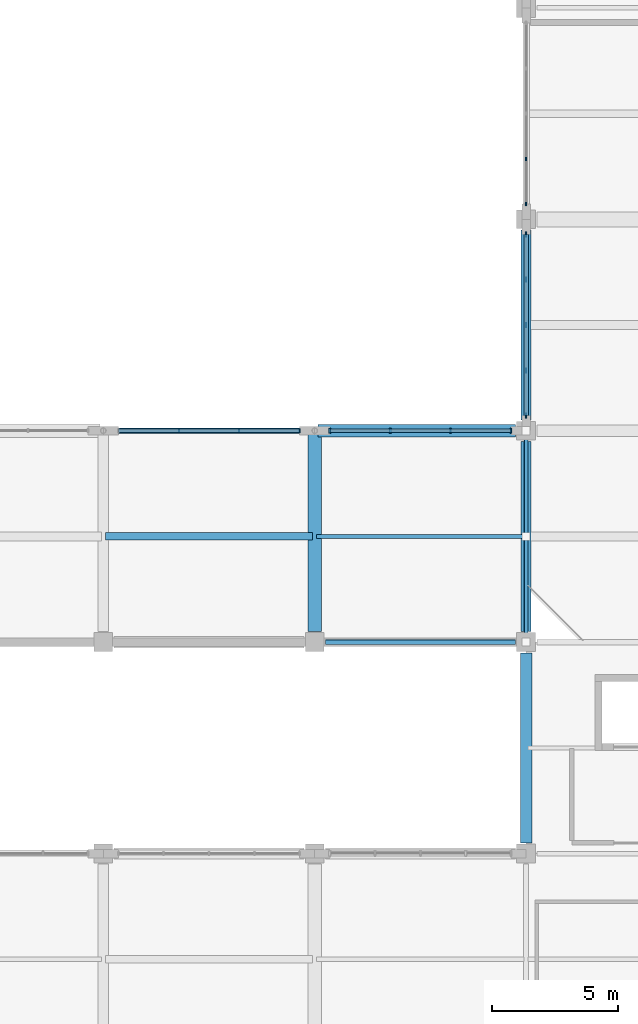
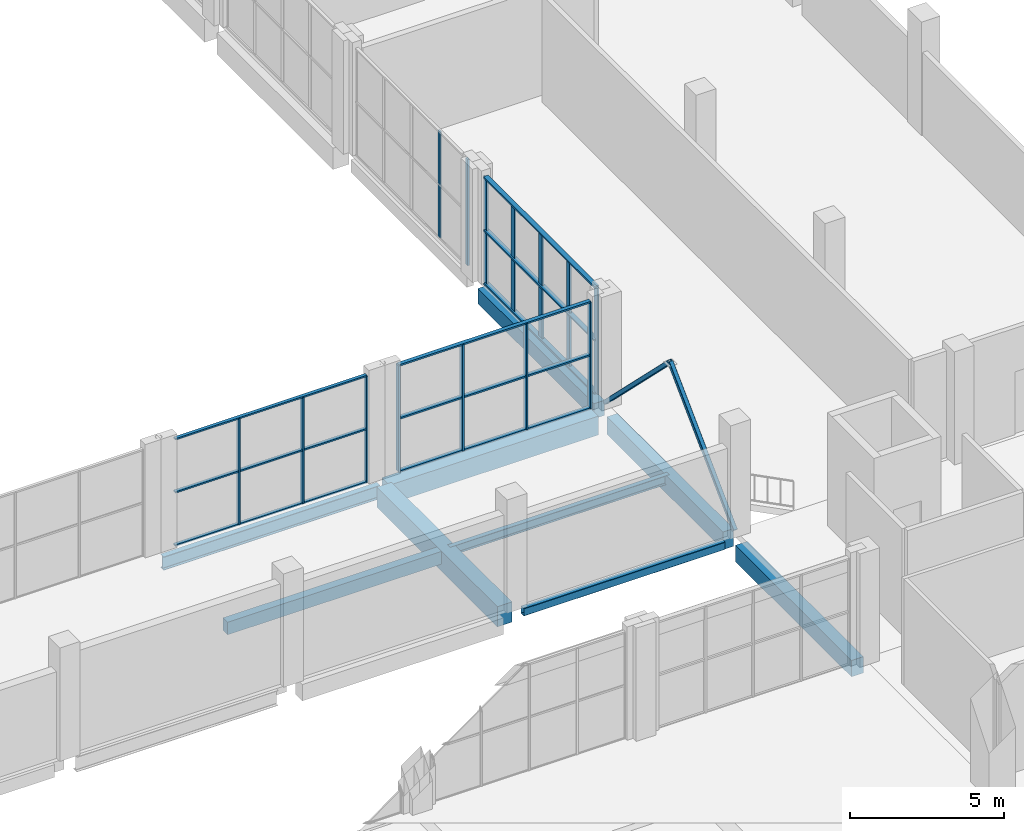
# One storey, part 31 of 75: 25 members, 9 beams, 4 elements without a shape of their own.
"""IFC4 building model written with IfcOpenShell, lengths in metres."""

from ifc_helpers import new_model, si_unit, derived_unit, direction, frame, origin, origin_2d, place, context, subcontext, project, spatial, rectangle, hollow_rectangle, i_section, extrude, material, material_profile, profile_set, type_object, element, aggregate, save


model = new_model("IFC4")

# Units and contexts
model_context = context("Model", 3, precision=1e-05, world=origin(), true_north=direction((0.0, 1.0)))
body_context = subcontext(model_context, "Body", "Model", "MODEL_VIEW")
ifc_project = project(units=[si_unit("LENGTHUNIT", "METRE"), si_unit("AREAUNIT", "SQUARE_METRE"), si_unit("VOLUMEUNIT", "CUBIC_METRE"), si_unit("PLANEANGLEUNIT", "RADIAN"), si_unit("MASSUNIT", "GRAM", prefix="KILO"), derived_unit("THERMALTRANSMITTANCEUNIT", [(si_unit("POWERUNIT", "WATT"), 1), (si_unit("LENGTHUNIT", "METRE"), -2), (si_unit("THERMODYNAMICTEMPERATUREUNIT", "KELVIN"), -1)])], contexts=[model_context])

# Site, building, storey
site_placement = place(None, origin())
site = spatial("IfcSite", under=ifc_project, at=site_placement, CompositionType="ELEMENT")
building_placement = place(site_placement, origin())
building = spatial("IfcBuilding", under=site, at=building_placement, Name="Barrovel Congress Hotel", CompositionType="ELEMENT")
storey_placement = place(building_placement, frame((0.0, 0.0, 5.39990234375)))
storey = spatial("IfcBuildingStorey", under=building, at=storey_placement, Name="L01", CompositionType="ELEMENT", Elevation=5.39990234375)

# Beams
ifc_material_1 = material(Name="Concrete C40", Category="concrete")
ifc_material_profile_1 = material_profile(ifc_material_1, rectangle(XDim=0.300048828125, YDim=0.5, at=origin_2d()), Name="RC300x500")
ifc_profile_set_1 = profile_set([ifc_material_profile_1], Name="Concrete C40")
beam_type_1 = type_object("IfcBeamType", Name="BM-RC300x500", PredefinedType="JOIST", material=ifc_profile_set_1)
beam_1_placement = place(storey_placement, frame((109.280029296875, 42.0, -0.510009765625), z_axis=(1.0, 0.0, 0.0), x_axis=(0.0, 1.0, 0.0)))
element("IfcBeam", 1, at=beam_1_placement, inside=storey, type_object=beam_type_1, Name="JST:L01:109.2:42.0", PredefinedType="JOIST", context=body_context, shape_type="SweptSolid", body=[
    extrude(rectangle(XDim=0.300048828125, YDim=0.5, at=origin_2d()), origin(), (0.0, 0.0, 1.0), 8.239990234375),
])
ifc_material_profile_2 = material_profile(ifc_material_1, rectangle(XDim=0.39990234375, YDim=0.60009765625, at=origin_2d()), Name="RC400x600")
ifc_profile_set_2 = profile_set([ifc_material_profile_2], Name="Concrete C40")
beam_type_2 = type_object("IfcBeamType", Name="BM-RC400x600", PredefinedType="BEAM", material=ifc_profile_set_2)
beam_2_placement = place(storey_placement, frame((126.0, 46.625, -0.559814453125), z_axis=(0.0, 1.0, 0.0), x_axis=(-1.0, 0.0, 0.0)))
element("IfcBeam", 2, at=beam_2_placement, inside=storey, type_object=beam_type_2, Name="BMY:L01:126.0:46.2-54.6", PredefinedType="BEAM", context=body_context, shape_type="SweptSolid", body=[
    extrude(rectangle(XDim=0.39990234375, YDim=0.60009765625, at=origin_2d()), origin(), (0.0, 0.0, 1.0), 7.550048828125),
])
ifc_material_profile_3 = material_profile(ifc_material_1, rectangle(XDim=0.39990234375, YDim=0.699951171875, at=origin_2d()), Name="RC400x700")
ifc_profile_set_3 = profile_set([ifc_material_profile_3], Name="Concrete C40")
beam_type_3 = type_object("IfcBeamType", Name="BM-RC400x700", PredefinedType="BEAM", material=ifc_profile_set_3)
beam_3_placement = place(storey_placement, frame((126.0, 38.22509765625, -0.60986328125), z_axis=(0.0, 1.0, 0.0), x_axis=(-1.0, 0.0, 0.0)))
element("IfcBeam", 3, at=beam_3_placement, inside=storey, type_object=beam_type_3, Name="BMY:L01:126.0:37.8-46.2", PredefinedType="BEAM", context=body_context, shape_type="SweptSolid", body=[
    extrude(rectangle(XDim=0.39990234375, YDim=0.699951171875, at=origin_2d()), origin(), (0.0, 0.0, 1.0), 7.5498046875),
])
ifc_material_profile_4 = material_profile(ifc_material_1, rectangle(XDim=0.449951171875, YDim=0.64990234375, at=origin_2d()), Name="RC450x650")
ifc_profile_set_4 = profile_set([ifc_material_profile_4], Name="Concrete C40")
beam_type_4 = type_object("IfcBeamType", Name="BM-RC450x650", PredefinedType="BEAM", material=ifc_profile_set_4)
beam_4_placement = place(storey_placement, frame((126.0, 29.824951171875, -0.5849609375), z_axis=(0.0, 1.0, 0.0), x_axis=(-1.0, 0.0, 0.0)))
element("IfcBeam", 4, at=beam_4_placement, inside=storey, type_object=beam_type_4, Name="BMY:L01:126.0:29.4-37.8", PredefinedType="BEAM", context=body_context, shape_type="SweptSolid", body=[
    extrude(rectangle(XDim=0.449951171875, YDim=0.64990234375, at=origin_2d()), origin(), (0.0, 0.0, 1.0), 7.550048828125),
])
ifc_material_profile_5 = material_profile(ifc_material_1, rectangle(XDim=0.5, YDim=0.75, at=origin_2d()), Name="RC500x750")
ifc_profile_set_5 = profile_set([ifc_material_profile_5], Name="Concrete C40")
beam_type_5 = type_object("IfcBeamType", Name="BM-RC500x750", PredefinedType="BEAM", material=ifc_profile_set_5)
beam_5_placement = place(storey_placement, frame((117.736572265625, 46.199951171875, -0.635009765625), z_axis=(1.0, 0.0, 0.0), x_axis=(0.0, 1.0, 0.0)))
element("IfcBeam", 5, at=beam_5_placement, inside=storey, type_object=beam_type_5, Name="BMX:L01:46.2:117.6-126.0", PredefinedType="BEAM", context=body_context, shape_type="SweptSolid", body=[
    extrude(rectangle(XDim=0.5, YDim=0.75, at=origin_2d()), origin(), (0.0, 0.0, 1.0), 7.83837890625),
])
ifc_material_profile_6 = material_profile(ifc_material_1, rectangle(XDim=0.550048828125, YDim=0.800048828125, at=origin_2d()), Name="RC550x800")
ifc_profile_set_6 = profile_set([ifc_material_profile_6], Name="Concrete C40")
beam_type_6 = type_object("IfcBeamType", Name="BM-RC550x800", PredefinedType="BEAM", material=ifc_profile_set_6)
beam_6_placement = place(storey_placement, frame((117.60009765625, 38.22509765625, -0.659912109375), z_axis=(0.0, 1.0, 0.0), x_axis=(-1.0, 0.0, 0.0)))
element("IfcBeam", 6, at=beam_6_placement, inside=storey, type_object=beam_type_6, Name="BMY:L01:117.6:37.8-46.2", PredefinedType="BEAM", context=body_context, shape_type="SweptSolid", body=[
    extrude(rectangle(XDim=0.550048828125, YDim=0.800048828125, at=origin_2d()), origin(), (0.0, 0.0, 1.0), 7.83837890625),
])

# Curtain wall, members
ifc_material_2 = material(Name="Anodised Aluminium Alloy 6063-T6", Category="aluminium")
curtain_wall_type = type_object("IfcCurtainWallType", Name="CW-ST-7200x3600", PredefinedType="USERDEFINED", material=ifc_material_2)
curtain_wall_1_placement = place(storey_placement, origin())
curtain_wall_1 = element("IfcCurtainWall", 7, at=curtain_wall_1_placement, inside=storey, type_object=curtain_wall_type, Name="CW:L01:CE:54.6", ObjectType="STICK CURTAIN WALL", PredefinedType="USERDEFINED")
ifc_material_profile_7 = material_profile(ifc_material_2, rectangle(XDim=0.06005859375, YDim=0.139892578125, at=origin_2d()), Name="AL-M60x140")
ifc_profile_set_7 = profile_set([ifc_material_profile_7], Name="Anodised Aluminium Alloy 6063-T6")
member_type_1 = type_object("IfcMemberType", Name="CWM-AL-M60x140", PredefinedType="MULLION", material=ifc_profile_set_7)
member_1_placement = place(storey_placement, frame((126.0, 57.0, 0.0), z_axis=(0.0, 0.0, 1.0), x_axis=(1.0, 0.0, 0.0)))
member_1 = element("IfcMember", 8, at=member_1_placement, type_object=member_type_1, Name="CW:L01:CE:54.6:M3", PredefinedType="MULLION", context=body_context, shape_type="SweptSolid", body=[
    extrude(rectangle(XDim=0.06005859375, YDim=0.139892578125, at=origin_2d()), origin(), (0.0, 0.0, 1.0), 4.22021484375),
])
member_2_placement = place(storey_placement, frame((126.0, 55.199951171875, 0.0), z_axis=(0.0, 0.0, 1.0), x_axis=(1.0, 0.0, 0.0)))
member_2 = element("IfcMember", 9, at=member_2_placement, type_object=member_type_1, Name="CW:L01:CE:54.6:M4", PredefinedType="MULLION", context=body_context, shape_type="SweptSolid", body=[
    extrude(rectangle(XDim=0.06005859375, YDim=0.139892578125, at=origin_2d()), origin(), (0.0, 0.0, 1.0), 4.22021484375),
])
aggregate(curtain_wall_1, [member_1, member_2])

curtain_wall_2_placement = place(storey_placement, origin())
curtain_wall_2 = element("IfcCurtainWall", 10, at=curtain_wall_2_placement, inside=storey, type_object=curtain_wall_type, Name="CW:L01:CL:13", ObjectType="STICK CURTAIN WALL", PredefinedType="USERDEFINED")
ifc_material_profile_8 = material_profile(ifc_material_2, rectangle(XDim=0.06005859375, YDim=0.1650390625, at=origin_2d()), Name="AL-M60x165")
ifc_profile_set_8 = profile_set([ifc_material_profile_8], Name="Anodised Aluminium Alloy 6063-T6")
member_type_2 = type_object("IfcMemberType", Name="CWM-AL-M60x165", PredefinedType="MULLION", material=ifc_profile_set_8)
member_3_placement = place(storey_placement, frame((117.0, 46.199951171875, 0.0), z_axis=(0.0, 0.0, 1.0), x_axis=(1.0, 0.0, 0.0)))
member_3 = element("IfcMember", 11, at=member_3_placement, type_object=member_type_2, Name="CW:L01:CL:13:M0", PredefinedType="MULLION", context=body_context, shape_type="SweptSolid", body=[
    extrude(rectangle(XDim=0.06005859375, YDim=0.1650390625, at=origin_2d()), origin(), (0.0, 0.0, 1.0), 4.22021484375),
])
member_4_placement = place(storey_placement, frame((114.60009765625, 46.199951171875, 0.0), z_axis=(0.0, 0.0, 1.0), x_axis=(1.0, 0.0, 0.0)))
member_4 = element("IfcMember", 12, at=member_4_placement, type_object=member_type_2, Name="CW:L01:CL:13:M1", PredefinedType="MULLION", context=body_context, shape_type="SweptSolid", body=[
    extrude(rectangle(XDim=0.06005859375, YDim=0.1650390625, at=origin_2d()), origin(), (0.0, 0.0, 1.0), 4.22021484375),
])
member_5_placement = place(storey_placement, frame((112.199951171875, 46.199951171875, 0.0), z_axis=(0.0, 0.0, 1.0), x_axis=(1.0, 0.0, 0.0)))
member_5 = element("IfcMember", 13, at=member_5_placement, type_object=member_type_2, Name="CW:L01:CL:13:M2", PredefinedType="MULLION", context=body_context, shape_type="SweptSolid", body=[
    extrude(rectangle(XDim=0.06005859375, YDim=0.1650390625, at=origin_2d()), origin(), (0.0, 0.0, 1.0), 4.22021484375),
])

curtain_wall_3_placement = place(storey_placement, origin())
curtain_wall_3 = element("IfcCurtainWall", 14, at=curtain_wall_3_placement, inside=storey, type_object=curtain_wall_type, Name="CW:L01:CL:14", ObjectType="STICK CURTAIN WALL", PredefinedType="USERDEFINED")
ifc_material_profile_9 = material_profile(ifc_material_2, rectangle(XDim=0.06494140625, YDim=0.18994140625, at=origin_2d()), Name="AL-M65x190")
ifc_profile_set_9 = profile_set([ifc_material_profile_9], Name="Anodised Aluminium Alloy 6063-T6")
member_type_3 = type_object("IfcMemberType", Name="CWM-AL-M65x190", PredefinedType="MULLION", material=ifc_profile_set_9)
member_6_placement = place(storey_placement, frame((125.39990234375, 46.199951171875, 0.0), z_axis=(0.0, 0.0, 1.0), x_axis=(1.0, 0.0, 0.0)))
member_6 = element("IfcMember", 15, at=member_6_placement, type_object=member_type_3, Name="CW:L01:CL:14:M0", PredefinedType="MULLION", context=body_context, shape_type="SweptSolid", body=[
    extrude(rectangle(XDim=0.06494140625, YDim=0.18994140625, at=origin_2d()), origin(), (0.0, 0.0, 1.0), 4.22021484375),
])
member_7_placement = place(storey_placement, frame((123.0, 46.199951171875, 0.0), z_axis=(0.0, 0.0, 1.0), x_axis=(1.0, 0.0, 0.0)))
member_7 = element("IfcMember", 16, at=member_7_placement, type_object=member_type_3, Name="CW:L01:CL:14:M1", PredefinedType="MULLION", context=body_context, shape_type="SweptSolid", body=[
    extrude(rectangle(XDim=0.06494140625, YDim=0.18994140625, at=origin_2d()), origin(), (0.0, 0.0, 1.0), 4.22021484375),
])
member_8_placement = place(storey_placement, frame((120.60009765625, 46.199951171875, 0.0), z_axis=(0.0, 0.0, 1.0), x_axis=(1.0, 0.0, 0.0)))
member_8 = element("IfcMember", 17, at=member_8_placement, type_object=member_type_3, Name="CW:L01:CL:14:M2", PredefinedType="MULLION", context=body_context, shape_type="SweptSolid", body=[
    extrude(rectangle(XDim=0.06494140625, YDim=0.18994140625, at=origin_2d()), origin(), (0.0, 0.0, 1.0), 4.22021484375),
])
member_9_placement = place(storey_placement, frame((118.199951171875, 46.199951171875, 0.0), z_axis=(0.0, 0.0, 1.0), x_axis=(1.0, 0.0, 0.0)))
member_9 = element("IfcMember", 18, at=member_9_placement, type_object=member_type_3, Name="CW:L01:CL:14:M3", PredefinedType="MULLION", context=body_context, shape_type="SweptSolid", body=[
    extrude(rectangle(XDim=0.06494140625, YDim=0.18994140625, at=origin_2d()), origin(), (0.0, 0.0, 1.0), 4.22021484375),
])

curtain_wall_4_placement = place(storey_placement, origin())
curtain_wall_4 = element("IfcCurtainWall", 19, at=curtain_wall_4_placement, inside=storey, type_object=curtain_wall_type, Name="CW:L01:CE:46.2", ObjectType="STICK CURTAIN WALL", PredefinedType="USERDEFINED")
ifc_material_profile_10 = material_profile(ifc_material_2, rectangle(XDim=0.06494140625, YDim=0.219970703125, at=origin_2d()), Name="AL-M65x220")
ifc_profile_set_10 = profile_set([ifc_material_profile_10], Name="Anodised Aluminium Alloy 6063-T6")
member_type_4 = type_object("IfcMemberType", Name="CWM-AL-M65x220", PredefinedType="MULLION", material=ifc_profile_set_10)
member_10_placement = place(storey_placement, frame((126.0, 54.0, 0.0), z_axis=(0.0, 0.0, 1.0), x_axis=(1.0, 0.0, 0.0)))
member_10 = element("IfcMember", 20, at=member_10_placement, type_object=member_type_4, Name="CW:L01:CE:46.2:M0", PredefinedType="MULLION", context=body_context, shape_type="SweptSolid", body=[
    extrude(rectangle(XDim=0.06494140625, YDim=0.219970703125, at=origin_2d()), origin(), (0.0, 0.0, 1.0), 4.22021484375),
])
member_11_placement = place(storey_placement, frame((126.0, 52.199951171875, 0.0), z_axis=(0.0, 0.0, 1.0), x_axis=(1.0, 0.0, 0.0)))
member_11 = element("IfcMember", 21, at=member_11_placement, type_object=member_type_4, Name="CW:L01:CE:46.2:M1", PredefinedType="MULLION", context=body_context, shape_type="SweptSolid", body=[
    extrude(rectangle(XDim=0.06494140625, YDim=0.219970703125, at=origin_2d()), origin(), (0.0, 0.0, 1.0), 4.22021484375),
])
member_12_placement = place(storey_placement, frame((126.0, 50.39990234375, 0.0), z_axis=(0.0, 0.0, 1.0), x_axis=(1.0, 0.0, 0.0)))
member_12 = element("IfcMember", 22, at=member_12_placement, type_object=member_type_4, Name="CW:L01:CE:46.2:M2", PredefinedType="MULLION", context=body_context, shape_type="SweptSolid", body=[
    extrude(rectangle(XDim=0.06494140625, YDim=0.219970703125, at=origin_2d()), origin(), (0.0, 0.0, 1.0), 4.22021484375),
])
member_13_placement = place(storey_placement, frame((126.0, 48.60009765625, 0.0), z_axis=(0.0, 0.0, 1.0), x_axis=(1.0, 0.0, 0.0)))
member_13 = element("IfcMember", 23, at=member_13_placement, type_object=member_type_4, Name="CW:L01:CE:46.2:M3", PredefinedType="MULLION", context=body_context, shape_type="SweptSolid", body=[
    extrude(rectangle(XDim=0.06494140625, YDim=0.219970703125, at=origin_2d()), origin(), (0.0, 0.0, 1.0), 4.22021484375),
])
member_14_placement = place(storey_placement, frame((126.0, 46.800048828125, 0.0), z_axis=(0.0, 0.0, 1.0), x_axis=(1.0, 0.0, 0.0)))
member_14 = element("IfcMember", 24, at=member_14_placement, type_object=member_type_4, Name="CW:L01:CE:46.2:M4", PredefinedType="MULLION", context=body_context, shape_type="SweptSolid", body=[
    extrude(rectangle(XDim=0.06494140625, YDim=0.219970703125, at=origin_2d()), origin(), (0.0, 0.0, 1.0), 4.22021484375),
])

# Member
ifc_material_profile_11 = material_profile(ifc_material_2, rectangle(XDim=0.125, YDim=0.06005859375, at=origin_2d()), Name="AL-T60x125")
ifc_profile_set_11 = profile_set([ifc_material_profile_11], Name="Anodised Aluminium Alloy 6063-T6")
member_type_5 = type_object("IfcMemberType", Name="CWT-AL-T60x125", PredefinedType="USERDEFINED", material=ifc_profile_set_11)
member_15_placement = place(storey_placement, frame((117.0, 46.199951171875, 0.0), z_axis=(-1.0, 0.0, 0.0), x_axis=(0.0, -1.0, 0.0)))
member_15 = element("IfcMember", 25, at=member_15_placement, type_object=member_type_5, Name="CW:L01:CL:13:T0", ObjectType="TRANSOM", PredefinedType="USERDEFINED", context=body_context, shape_type="SweptSolid", body=[
    extrude(rectangle(XDim=0.125, YDim=0.06005859375, at=origin_2d()), origin(), (0.0, 0.0, 1.0), 7.199951171875),
])

member_16_placement = place(storey_placement, frame((117.0, 46.199951171875, 2.110107421875), z_axis=(-1.0, 0.0, 0.0), x_axis=(0.0, -1.0, 0.0)))
member_16 = element("IfcMember", 26, at=member_16_placement, type_object=member_type_5, Name="CW:L01:CL:13:T1", ObjectType="TRANSOM", PredefinedType="USERDEFINED", context=body_context, shape_type="SweptSolid", body=[
    extrude(rectangle(XDim=0.125, YDim=0.06005859375, at=origin_2d()), origin(), (0.0, 0.0, 1.0), 7.199951171875),
])

member_17_placement = place(storey_placement, frame((117.0, 46.199951171875, 4.22021484375), z_axis=(-1.0, 0.0, 0.0), x_axis=(0.0, -1.0, 0.0)))
member_17 = element("IfcMember", 27, at=member_17_placement, type_object=member_type_5, Name="CW:L01:CL:13:T2", ObjectType="TRANSOM", PredefinedType="USERDEFINED", context=body_context, shape_type="SweptSolid", body=[
    extrude(rectangle(XDim=0.125, YDim=0.06005859375, at=origin_2d()), origin(), (0.0, 0.0, 1.0), 7.199951171875),
])

aggregate(curtain_wall_2, [member_3, member_4, member_5, member_15, member_16, member_17])

ifc_material_profile_12 = material_profile(ifc_material_2, rectangle(XDim=0.14990234375, YDim=0.06494140625, at=origin_2d()), Name="AL-T65x150")
ifc_profile_set_12 = profile_set([ifc_material_profile_12], Name="Anodised Aluminium Alloy 6063-T6")
member_type_6 = type_object("IfcMemberType", Name="CWT-AL-T65x150", PredefinedType="USERDEFINED", material=ifc_profile_set_12)
member_18_placement = place(storey_placement, frame((125.39990234375, 46.199951171875, 0.0), z_axis=(-1.0, 0.0, 0.0), x_axis=(0.0, -1.0, 0.0)))
member_18 = element("IfcMember", 28, at=member_18_placement, type_object=member_type_6, Name="CW:L01:CL:14:T0", ObjectType="TRANSOM", PredefinedType="USERDEFINED", context=body_context, shape_type="SweptSolid", body=[
    extrude(rectangle(XDim=0.14990234375, YDim=0.06494140625, at=origin_2d()), origin(), (0.0, 0.0, 1.0), 7.199951171875),
])

member_19_placement = place(storey_placement, frame((125.39990234375, 46.199951171875, 2.110107421875), z_axis=(-1.0, 0.0, 0.0), x_axis=(0.0, -1.0, 0.0)))
member_19 = element("IfcMember", 29, at=member_19_placement, type_object=member_type_6, Name="CW:L01:CL:14:T1", ObjectType="TRANSOM", PredefinedType="USERDEFINED", context=body_context, shape_type="SweptSolid", body=[
    extrude(rectangle(XDim=0.14990234375, YDim=0.06494140625, at=origin_2d()), origin(), (0.0, 0.0, 1.0), 7.199951171875),
])

member_20_placement = place(storey_placement, frame((125.39990234375, 46.199951171875, 4.22021484375), z_axis=(-1.0, 0.0, 0.0), x_axis=(0.0, -1.0, 0.0)))
member_20 = element("IfcMember", 30, at=member_20_placement, type_object=member_type_6, Name="CW:L01:CL:14:T2", ObjectType="TRANSOM", PredefinedType="USERDEFINED", context=body_context, shape_type="SweptSolid", body=[
    extrude(rectangle(XDim=0.14990234375, YDim=0.06494140625, at=origin_2d()), origin(), (0.0, 0.0, 1.0), 7.199951171875),
])

aggregate(curtain_wall_3, [member_6, member_7, member_8, member_9, member_18, member_19, member_20])

ifc_material_profile_13 = material_profile(ifc_material_2, rectangle(XDim=0.179931640625, YDim=0.06494140625, at=origin_2d()), Name="AL-T65x180")
ifc_profile_set_13 = profile_set([ifc_material_profile_13], Name="Anodised Aluminium Alloy 6063-T6")
member_type_7 = type_object("IfcMemberType", Name="CWT-AL-T65x180", PredefinedType="USERDEFINED", material=ifc_profile_set_13)
member_21_placement = place(storey_placement, frame((126.0, 54.0, 0.0), z_axis=(0.0, -1.0, 0.0), x_axis=(1.0, 0.0, 0.0)))
member_21 = element("IfcMember", 31, at=member_21_placement, type_object=member_type_7, Name="CW:L01:CE:46.2:T0", ObjectType="TRANSOM", PredefinedType="USERDEFINED", context=body_context, shape_type="SweptSolid", body=[
    extrude(rectangle(XDim=0.179931640625, YDim=0.06494140625, at=origin_2d()), origin(), (0.0, 0.0, 1.0), 7.199951171875),
])

member_22_placement = place(storey_placement, frame((126.0, 54.0, 2.110107421875), z_axis=(0.0, -1.0, 0.0), x_axis=(1.0, 0.0, 0.0)))
member_22 = element("IfcMember", 32, at=member_22_placement, type_object=member_type_7, Name="CW:L01:CE:46.2:T1", ObjectType="TRANSOM", PredefinedType="USERDEFINED", context=body_context, shape_type="SweptSolid", body=[
    extrude(rectangle(XDim=0.179931640625, YDim=0.06494140625, at=origin_2d()), origin(), (0.0, 0.0, 1.0), 7.199951171875),
])

member_23_placement = place(storey_placement, frame((126.0, 54.0, 4.22021484375), z_axis=(0.0, -1.0, 0.0), x_axis=(1.0, 0.0, 0.0)))
member_23 = element("IfcMember", 33, at=member_23_placement, type_object=member_type_7, Name="CW:L01:CE:46.2:T2", ObjectType="TRANSOM", PredefinedType="USERDEFINED", context=body_context, shape_type="SweptSolid", body=[
    extrude(rectangle(XDim=0.179931640625, YDim=0.06494140625, at=origin_2d()), origin(), (0.0, 0.0, 1.0), 7.199951171875),
])

aggregate(curtain_wall_4, [member_10, member_11, member_12, member_13, member_14, member_21, member_22, member_23])

# Members
ifc_material_3 = material(Name="Steel ASTM A500 Grade C", Category="steel")
ifc_material_profile_14 = material_profile(ifc_material_3, hollow_rectangle(XDim=0.15234375, YDim=0.15234375, WallThickness=0.00732421875, InnerFilletRadius=0.00732421875, OuterFilletRadius=0.014892578125, at=origin_2d()), Name="HSS152x152x7.9")
ifc_profile_set_14 = profile_set([ifc_material_profile_14], Name="Steel ASTM A500 Grade C")
member_type_8 = type_object("IfcMemberType", Name="MEM-HSS152x152x7.9", PredefinedType="BRACE", material=ifc_profile_set_14)
for number, where, z_axis, x_axis, name in (
    (34, (126.0, 37.800048828125, 0.0), (0.0, 0.711311711761, 0.70287669524), (-1.0, 0.0, 0.0), "CBF:L01:BF3:L"),
    (35, (126.0, 46.199951171875, 0.0), (0.0, -0.711311711761, 0.70287669524), (1.0, 0.0, 0.0), "CBF:L01:BF3:R"),
):
    element("IfcMember", number, at=place(storey_placement, frame(where, z_axis=z_axis, x_axis=x_axis)), inside=storey, type_object=member_type_8, Name=name, PredefinedType="BRACE", context=body_context, shape_type="SweptSolid", body=[
        extrude(hollow_rectangle(XDim=0.15234375, YDim=0.15234375, WallThickness=0.00732421875, InnerFilletRadius=0.00732421875, OuterFilletRadius=0.014892578125, at=origin_2d()), origin(), (0.0, 0.0, 1.0), 5.904541015625),
    ])

# Beams
ifc_material_profile_15 = material_profile(ifc_material_3, hollow_rectangle(XDim=0.203125, YDim=0.3046875, WallThickness=0.01171875, InnerFilletRadius=0.01171875, OuterFilletRadius=0.023681640625, at=origin_2d()), Name="HSS305x203x12.7")
ifc_profile_set_15 = profile_set([ifc_material_profile_15], Name="Steel ASTM A500 Grade C")
beam_type_7 = type_object("IfcBeamType", Name="SBM-HSS305x203x12.7", PredefinedType="SPANDREL", material=ifc_profile_set_15)
beam_7_placement = place(storey_placement, frame((118.02490234375, 37.800048828125, -0.412353515625), z_axis=(1.0, 0.0, 0.0), x_axis=(0.0, 1.0, 0.0)))
element("IfcBeam", 36, at=beam_7_placement, inside=storey, type_object=beam_type_7, Name="BMX:L01:37.8:117.6-126.0", PredefinedType="SPANDREL", context=body_context, shape_type="SweptSolid", body=[
    extrude(hollow_rectangle(XDim=0.203125, YDim=0.3046875, WallThickness=0.01171875, InnerFilletRadius=0.01171875, OuterFilletRadius=0.023681640625, at=origin_2d()), origin(), (0.0, 0.0, 1.0), 7.550048828125),
])
ifc_material_4 = material(Name="Steel ASTM A992 Grade 50", Category="steel")
ifc_material_profile_16 = material_profile(ifc_material_4, i_section(OverallWidth=0.1708984375, OverallDepth=0.35205078125, WebThickness=0.0068359375, FlangeThickness=0.009765625, FilletRadius=0.011962890625, at=origin_2d()), Name="W360x44")
ifc_profile_set_16 = profile_set([ifc_material_profile_16], Name="Steel ASTM A992 Grade 50")
beam_type_8 = type_object("IfcBeamType", Name="SBM-W360x44", PredefinedType="JOIST", material=ifc_profile_set_16)
beam_8_placement = place(storey_placement, frame((117.679931640625, 42.0, -0.435791015625), z_axis=(1.0, 0.0, 0.0), x_axis=(0.0, 1.0, 0.0)))
element("IfcBeam", 37, at=beam_8_placement, inside=storey, type_object=beam_type_8, Name="JST:L01:117.6:42.0", PredefinedType="JOIST", context=body_context, shape_type="SweptSolid", body=[
    extrude(i_section(OverallWidth=0.1708984375, OverallDepth=0.35205078125, WebThickness=0.0068359375, FlangeThickness=0.009765625, FilletRadius=0.011962890625, at=origin_2d()), origin(), (0.0, 0.0, 1.0), 8.239990234375),
])
ifc_material_profile_17 = material_profile(ifc_material_4, i_section(OverallWidth=0.208984375, OverallDepth=0.532958984375, WebThickness=0.01025390625, FlangeThickness=0.015625, FilletRadius=0.013916015625, at=origin_2d()), Name="W530x92")
ifc_profile_set_17 = profile_set([ifc_material_profile_17], Name="Steel ASTM A992 Grade 50")
beam_type_9 = type_object("IfcBeamType", Name="SBM-W530x92", PredefinedType="BEAM", material=ifc_profile_set_17)
beam_9_placement = place(storey_placement, frame((109.336669921875, 46.199951171875, -0.5263671875), z_axis=(1.0, 0.0, 0.0), x_axis=(0.0, 1.0, 0.0)))
element("IfcBeam", 38, at=beam_9_placement, inside=storey, type_object=beam_type_9, Name="BMX:L01:46.2:109.2-117.6", PredefinedType="BEAM", context=body_context, shape_type="SweptSolid", body=[
    extrude(i_section(OverallWidth=0.208984375, OverallDepth=0.532958984375, WebThickness=0.01025390625, FlangeThickness=0.015625, FilletRadius=0.013916015625, at=origin_2d()), origin(), (0.0, 0.0, 1.0), 8.126708984375),
])

save(model, "model.ifc")
